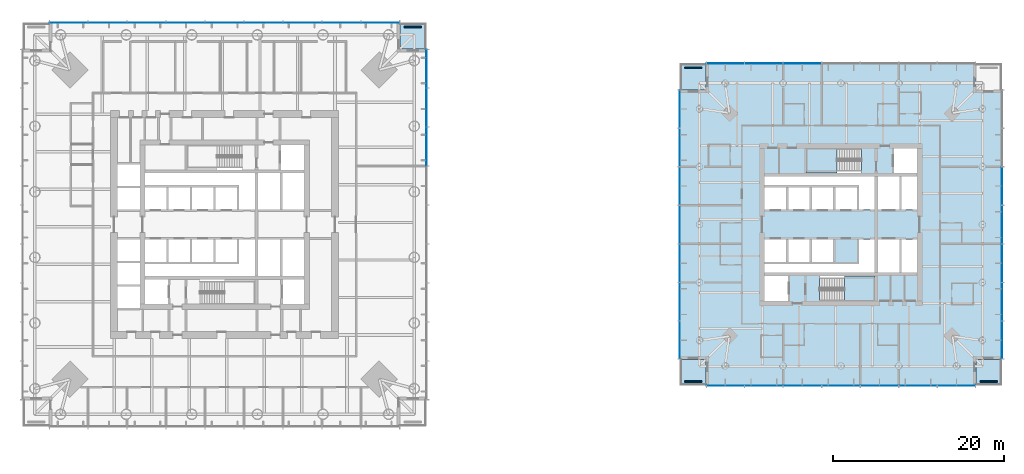
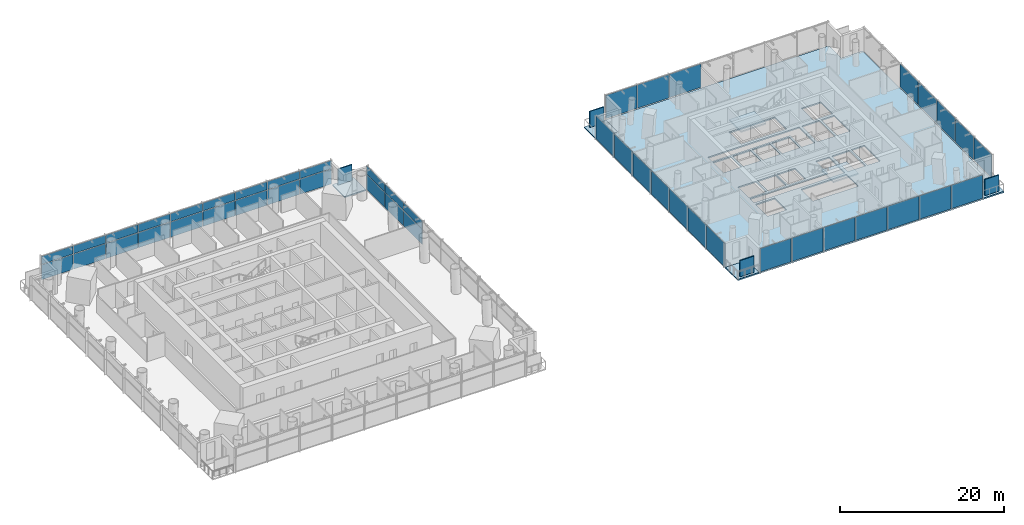
# One storey, part 10 of 24: 50 plates, 7 slabs, 10 elements without a shape of their own.
"""IFC4 building model written with IfcOpenShell, lengths in metres."""

from ifc_helpers import new_model, si_unit, direction, frame, origin, origin_2d, place, context, subcontext, project, spatial, polyline, rectangle, outline, extrude, material, layer, layer_set, type_object, element, aggregate, save


model = new_model("IFC4")

# Units and contexts
model_context = context("Model", 3, precision=1e-05, world=origin(), true_north=direction((0.0, 1.0)))
body_context = subcontext(model_context, "Body", "Model", "MODEL_VIEW")
ifc_project = project(units=[si_unit("LENGTHUNIT", "METRE"), si_unit("AREAUNIT", "SQUARE_METRE"), si_unit("VOLUMEUNIT", "CUBIC_METRE"), si_unit("PLANEANGLEUNIT", "RADIAN"), si_unit("MASSUNIT", "GRAM", prefix="KILO")], contexts=[model_context])

# Site, building, storey
site_placement = place(None, origin())
site = spatial("IfcSite", under=ifc_project, at=site_placement, CompositionType="ELEMENT")
building_placement = place(site_placement, origin())
building = spatial("IfcBuilding", under=site, at=building_placement, Name="Ostroluk Exchange", CompositionType="ELEMENT")
storey_placement = place(building_placement, frame((0.0, 0.0, 78.0)))
storey = spatial("IfcBuildingStorey", under=building, at=storey_placement, Name="L19", CompositionType="ELEMENT", Elevation=78.0)

# Curtain wall, plates
ifc_material_1 = material(Name="Laminated clear glass", Category="glass")
curtain_wall_type_1 = type_object("IfcCurtainWallType", Name="Hotel guest floor facade", PredefinedType="USERDEFINED", material=ifc_material_1)
curtain_wall_1_placement = place(storey_placement, origin())
curtain_wall_1 = element("IfcCurtainWall", 1, at=curtain_wall_1_placement, inside=storey, type_object=curtain_wall_type_1, Name="Hotel tower south facade L19", ObjectType="UNITISED CURTAIN WALL", PredefinedType="USERDEFINED")
ifc_material_2 = material(Name="Laminated clear glass", Category="glass")
ifc_layer_1 = layer(ifc_material_2, 0.0400390625)
ifc_layer_set_1 = layer_set([ifc_layer_1], Name="Acoustic laminated glazing 40")
plate_type_1 = type_object("IfcPlateType", Name="Acoustic laminated glazing 40", PredefinedType="CURTAIN_PANEL", material=ifc_layer_set_1)
plate_1_placement = place(storey_placement, frame((103.52001953125, 27.175048828125, 0.080078125), z_axis=(0.0, 0.0, 1.0), x_axis=(1.0, 0.0, 0.0)))
plate_1 = element("IfcPlate", 2, at=plate_1_placement, type_object=plate_type_1, Name="CW-H1 panel 1.1", PredefinedType="CURTAIN_PANEL", context=body_context, shape_type="SweptSolid", body=[
    extrude(rectangle(XDim=4.3798828125, YDim=0.0400390625, at=origin_2d()), origin(), (0.0, 0.0, 1.0), 3.489990234375),
])
plate_2_placement = place(storey_placement, frame((108.0, 27.175048828125, 0.080078125), z_axis=(0.0, 0.0, 1.0), x_axis=(1.0, 0.0, 0.0)))
plate_2 = element("IfcPlate", 3, at=plate_2_placement, type_object=plate_type_1, Name="CW-H1 panel 2.1", PredefinedType="CURTAIN_PANEL", context=body_context, shape_type="SweptSolid", body=[
    extrude(rectangle(XDim=4.419921875, YDim=0.0400390625, at=origin_2d()), origin(), (0.0, 0.0, 1.0), 3.489990234375),
])
plate_3_placement = place(storey_placement, frame((112.5, 27.175048828125, 0.080078125), z_axis=(0.0, 0.0, 1.0), x_axis=(1.0, 0.0, 0.0)))
plate_3 = element("IfcPlate", 4, at=plate_3_placement, type_object=plate_type_1, Name="CW-H1 panel 3.1", PredefinedType="CURTAIN_PANEL", context=body_context, shape_type="SweptSolid", body=[
    extrude(rectangle(XDim=4.419921875, YDim=0.0400390625, at=origin_2d()), origin(), (0.0, 0.0, 1.0), 3.489990234375),
])
plate_4_placement = place(storey_placement, frame((117.0, 27.175048828125, 0.080078125), z_axis=(0.0, 0.0, 1.0), x_axis=(1.0, 0.0, 0.0)))
plate_4 = element("IfcPlate", 5, at=plate_4_placement, type_object=plate_type_1, Name="CW-H1 panel 4.1", PredefinedType="CURTAIN_PANEL", context=body_context, shape_type="SweptSolid", body=[
    extrude(rectangle(XDim=4.419921875, YDim=0.0400390625, at=origin_2d()), origin(), (0.0, 0.0, 1.0), 3.489990234375),
])
plate_5_placement = place(storey_placement, frame((121.5, 27.175048828125, 0.080078125), z_axis=(0.0, 0.0, 1.0), x_axis=(1.0, 0.0, 0.0)))
plate_5 = element("IfcPlate", 6, at=plate_5_placement, type_object=plate_type_1, Name="CW-H1 panel 5.1", PredefinedType="CURTAIN_PANEL", context=body_context, shape_type="SweptSolid", body=[
    extrude(rectangle(XDim=4.419921875, YDim=0.0400390625, at=origin_2d()), origin(), (0.0, 0.0, 1.0), 3.489990234375),
])
plate_6_placement = place(storey_placement, frame((126.0, 27.175048828125, 0.080078125), z_axis=(0.0, 0.0, 1.0), x_axis=(1.0, 0.0, 0.0)))
plate_6 = element("IfcPlate", 7, at=plate_6_placement, type_object=plate_type_1, Name="CW-H1 panel 6.1", PredefinedType="CURTAIN_PANEL", context=body_context, shape_type="SweptSolid", body=[
    extrude(rectangle(XDim=4.419921875, YDim=0.0400390625, at=origin_2d()), origin(), (0.0, 0.0, 1.0), 3.489990234375),
])
plate_7_placement = place(storey_placement, frame((130.47998046875, 27.175048828125, 0.080078125), z_axis=(0.0, 0.0, 1.0), x_axis=(1.0, 0.0, 0.0)))
plate_7 = element("IfcPlate", 8, at=plate_7_placement, type_object=plate_type_1, Name="CW-H1 panel 7.1", PredefinedType="CURTAIN_PANEL", context=body_context, shape_type="SweptSolid", body=[
    extrude(rectangle(XDim=4.3798828125, YDim=0.0400390625, at=origin_2d()), origin(), (0.0, 0.0, 1.0), 3.489990234375),
])
aggregate(curtain_wall_1, [plate_1, plate_2, plate_3, plate_4, plate_5, plate_6, plate_7])

curtain_wall_2_placement = place(storey_placement, origin())
curtain_wall_2 = element("IfcCurtainWall", 9, at=curtain_wall_2_placement, inside=storey, type_object=curtain_wall_type_1, Name="Hotel tower east facade L19", ObjectType="UNITISED CURTAIN WALL", PredefinedType="USERDEFINED")
plate_8_placement = place(storey_placement, frame((135.824951171875, 32.52001953125, 0.080078125), z_axis=(0.0, 0.0, 1.0), x_axis=(0.0, 1.0, 0.0)))
plate_8 = element("IfcPlate", 10, at=plate_8_placement, type_object=plate_type_1, Name="CW-H1 panel 1.1", PredefinedType="CURTAIN_PANEL", context=body_context, shape_type="SweptSolid", body=[
    extrude(rectangle(XDim=4.3798828125, YDim=0.0400390625, at=origin_2d()), origin(), (0.0, 0.0, 1.0), 3.489990234375),
])
plate_9_placement = place(storey_placement, frame((135.824951171875, 37.0, 0.080078125), z_axis=(0.0, 0.0, 1.0), x_axis=(0.0, 1.0, 0.0)))
plate_9 = element("IfcPlate", 11, at=plate_9_placement, type_object=plate_type_1, Name="CW-H1 panel 2.1", PredefinedType="CURTAIN_PANEL", context=body_context, shape_type="SweptSolid", body=[
    extrude(rectangle(XDim=4.419921875, YDim=0.0400390625, at=origin_2d()), origin(), (0.0, 0.0, 1.0), 3.489990234375),
])
plate_10_placement = place(storey_placement, frame((135.824951171875, 41.5, 0.080078125), z_axis=(0.0, 0.0, 1.0), x_axis=(0.0, 1.0, 0.0)))
plate_10 = element("IfcPlate", 12, at=plate_10_placement, type_object=plate_type_1, Name="CW-H1 panel 3.1", PredefinedType="CURTAIN_PANEL", context=body_context, shape_type="SweptSolid", body=[
    extrude(rectangle(XDim=4.419921875, YDim=0.0400390625, at=origin_2d()), origin(), (0.0, 0.0, 1.0), 3.489990234375),
])
plate_11_placement = place(storey_placement, frame((135.824951171875, 46.0, 0.080078125), z_axis=(0.0, 0.0, 1.0), x_axis=(0.0, 1.0, 0.0)))
plate_11 = element("IfcPlate", 13, at=plate_11_placement, type_object=plate_type_1, Name="CW-H1 panel 4.1", PredefinedType="CURTAIN_PANEL", context=body_context, shape_type="SweptSolid", body=[
    extrude(rectangle(XDim=4.419921875, YDim=0.0400390625, at=origin_2d()), origin(), (0.0, 0.0, 1.0), 3.489990234375),
])
plate_12_placement = place(storey_placement, frame((135.824951171875, 50.5, 0.080078125), z_axis=(0.0, 0.0, 1.0), x_axis=(0.0, 1.0, 0.0)))
plate_12 = element("IfcPlate", 14, at=plate_12_placement, type_object=plate_type_1, Name="CW-H1 panel 5.1", PredefinedType="CURTAIN_PANEL", context=body_context, shape_type="SweptSolid", body=[
    extrude(rectangle(XDim=4.419921875, YDim=0.0400390625, at=origin_2d()), origin(), (0.0, 0.0, 1.0), 3.489990234375),
])
aggregate(curtain_wall_2, [plate_8, plate_9, plate_10, plate_11, plate_12])

curtain_wall_3_placement = place(storey_placement, origin())
curtain_wall_3 = element("IfcCurtainWall", 15, at=curtain_wall_3_placement, inside=storey, type_object=curtain_wall_type_1, Name="Hotel tower north facade L19", ObjectType="UNITISED CURTAIN WALL", PredefinedType="USERDEFINED")
plate_13_placement = place(storey_placement, frame((112.5, 64.824951171875, 0.080078125), z_axis=(0.0, 0.0, 1.0), x_axis=(-1.0, 0.0, 0.0)))
plate_13 = element("IfcPlate", 16, at=plate_13_placement, type_object=plate_type_1, Name="CW-H1 panel 5.1", PredefinedType="CURTAIN_PANEL", context=body_context, shape_type="SweptSolid", body=[
    extrude(rectangle(XDim=4.419921875, YDim=0.0400390625, at=origin_2d()), origin(), (0.0, 0.0, 1.0), 3.489990234375),
])
plate_14_placement = place(storey_placement, frame((108.0, 64.824951171875, 0.080078125), z_axis=(0.0, 0.0, 1.0), x_axis=(-1.0, 0.0, 0.0)))
plate_14 = element("IfcPlate", 17, at=plate_14_placement, type_object=plate_type_1, Name="CW-H1 panel 6.1", PredefinedType="CURTAIN_PANEL", context=body_context, shape_type="SweptSolid", body=[
    extrude(rectangle(XDim=4.419921875, YDim=0.0400390625, at=origin_2d()), origin(), (0.0, 0.0, 1.0), 3.489990234375),
])
plate_15_placement = place(storey_placement, frame((103.52001953125, 64.824951171875, 0.080078125), z_axis=(0.0, 0.0, 1.0), x_axis=(-1.0, 0.0, 0.0)))
plate_15 = element("IfcPlate", 18, at=plate_15_placement, type_object=plate_type_1, Name="CW-H1 panel 7.1", PredefinedType="CURTAIN_PANEL", context=body_context, shape_type="SweptSolid", body=[
    extrude(rectangle(XDim=4.3798828125, YDim=0.0400390625, at=origin_2d()), origin(), (0.0, 0.0, 1.0), 3.489990234375),
])
aggregate(curtain_wall_3, [plate_13, plate_14, plate_15])

curtain_wall_4_placement = place(storey_placement, origin())
curtain_wall_4 = element("IfcCurtainWall", 19, at=curtain_wall_4_placement, inside=storey, type_object=curtain_wall_type_1, Name="Hotel tower west facade L19", ObjectType="UNITISED CURTAIN WALL", PredefinedType="USERDEFINED")
plate_16_placement = place(storey_placement, frame((98.175048828125, 59.47998046875, 0.080078125), z_axis=(0.0, 0.0, 1.0), x_axis=(0.0, -1.0, 0.0)))
plate_16 = element("IfcPlate", 20, at=plate_16_placement, type_object=plate_type_1, Name="CW-H1 panel 1.1", PredefinedType="CURTAIN_PANEL", context=body_context, shape_type="SweptSolid", body=[
    extrude(rectangle(XDim=4.3798828125, YDim=0.0400390625, at=origin_2d()), origin(), (0.0, 0.0, 1.0), 3.489990234375),
])
plate_17_placement = place(storey_placement, frame((98.175048828125, 55.0, 0.080078125), z_axis=(0.0, 0.0, 1.0), x_axis=(0.0, -1.0, 0.0)))
plate_17 = element("IfcPlate", 21, at=plate_17_placement, type_object=plate_type_1, Name="CW-H1 panel 2.1", PredefinedType="CURTAIN_PANEL", context=body_context, shape_type="SweptSolid", body=[
    extrude(rectangle(XDim=4.419921875, YDim=0.0400390625, at=origin_2d()), origin(), (0.0, 0.0, 1.0), 3.489990234375),
])
plate_18_placement = place(storey_placement, frame((98.175048828125, 50.5, 0.080078125), z_axis=(0.0, 0.0, 1.0), x_axis=(0.0, -1.0, 0.0)))
plate_18 = element("IfcPlate", 22, at=plate_18_placement, type_object=plate_type_1, Name="CW-H1 panel 3.1", PredefinedType="CURTAIN_PANEL", context=body_context, shape_type="SweptSolid", body=[
    extrude(rectangle(XDim=4.419921875, YDim=0.0400390625, at=origin_2d()), origin(), (0.0, 0.0, 1.0), 3.489990234375),
])
plate_19_placement = place(storey_placement, frame((98.175048828125, 46.0, 0.080078125), z_axis=(0.0, 0.0, 1.0), x_axis=(0.0, -1.0, 0.0)))
plate_19 = element("IfcPlate", 23, at=plate_19_placement, type_object=plate_type_1, Name="CW-H1 panel 4.1", PredefinedType="CURTAIN_PANEL", context=body_context, shape_type="SweptSolid", body=[
    extrude(rectangle(XDim=4.419921875, YDim=0.0400390625, at=origin_2d()), origin(), (0.0, 0.0, 1.0), 3.489990234375),
])
plate_20_placement = place(storey_placement, frame((98.175048828125, 41.5, 0.080078125), z_axis=(0.0, 0.0, 1.0), x_axis=(0.0, -1.0, 0.0)))
plate_20 = element("IfcPlate", 24, at=plate_20_placement, type_object=plate_type_1, Name="CW-H1 panel 5.1", PredefinedType="CURTAIN_PANEL", context=body_context, shape_type="SweptSolid", body=[
    extrude(rectangle(XDim=4.419921875, YDim=0.0400390625, at=origin_2d()), origin(), (0.0, 0.0, 1.0), 3.489990234375),
])
plate_21_placement = place(storey_placement, frame((98.175048828125, 37.0, 0.080078125), z_axis=(0.0, 0.0, 1.0), x_axis=(0.0, -1.0, 0.0)))
plate_21 = element("IfcPlate", 25, at=plate_21_placement, type_object=plate_type_1, Name="CW-H1 panel 6.1", PredefinedType="CURTAIN_PANEL", context=body_context, shape_type="SweptSolid", body=[
    extrude(rectangle(XDim=4.419921875, YDim=0.0400390625, at=origin_2d()), origin(), (0.0, 0.0, 1.0), 3.489990234375),
])
plate_22_placement = place(storey_placement, frame((98.175048828125, 32.52001953125, 0.080078125), z_axis=(0.0, 0.0, 1.0), x_axis=(0.0, -1.0, 0.0)))
plate_22 = element("IfcPlate", 26, at=plate_22_placement, type_object=plate_type_1, Name="CW-H1 panel 7.1", PredefinedType="CURTAIN_PANEL", context=body_context, shape_type="SweptSolid", body=[
    extrude(rectangle(XDim=4.3798828125, YDim=0.0400390625, at=origin_2d()), origin(), (0.0, 0.0, 1.0), 3.489990234375),
])
aggregate(curtain_wall_4, [plate_16, plate_17, plate_18, plate_19, plate_20, plate_21, plate_22])

# Slabs
ifc_material_3 = material(Name="Concrete C35/45", Category="concrete")
ifc_layer_2 = layer(ifc_material_3, 0.179931640625)
ifc_layer_set_2 = layer_set([ifc_layer_2], Name="Balcony slab 180")
slab_type_1 = type_object("IfcSlabType", Name="Balcony slab 180", PredefinedType="USERDEFINED", material=ifc_layer_set_2)
slab_1_placement = place(storey_placement, frame((0.0, 0.0, -0.179931640625)))
element("IfcSlab", 27, at=slab_1_placement, inside=storey, type_object=slab_type_1, Name="Office tower NE corner balcony L19", ObjectType="BALCONY", PredefinedType="USERDEFINED", context=body_context, shape_type="SweptSolid", body=[
    extrude(outline(polyline([(65.5, 66.5), (68.5, 66.5), (68.5, 69.5), (65.5, 69.5), (65.5, 66.5)])), origin(), (0.0, 0.0, 1.0), 0.179931640625),
])
ifc_material_4 = material(Name="Concrete C35/45", Category="concrete")
ifc_layer_3 = layer(ifc_material_4, 0.199951171875)
ifc_layer_set_3 = layer_set([ifc_layer_3], Name="Balcony slab 200")
slab_type_2 = type_object("IfcSlabType", Name="Balcony slab 200", PredefinedType="USERDEFINED", material=ifc_layer_set_3)
slab_2_placement = place(storey_placement, frame((0.0, 0.0, -0.199951171875)))
element("IfcSlab", 28, at=slab_2_placement, inside=storey, type_object=slab_type_2, Name="Hotel tower SE corner balcony L19", ObjectType="BALCONY", PredefinedType="USERDEFINED", context=body_context, shape_type="SweptSolid", body=[
    extrude(outline(polyline([(132.75, 27.25), (135.75, 27.25), (135.75, 30.25), (132.75, 30.25), (132.75, 27.25)])), origin(), (0.0, 0.0, 1.0), 0.199951171875),
])
slab_3_placement = place(storey_placement, frame((0.0, 0.0, -0.199951171875)))
element("IfcSlab", 29, at=slab_3_placement, inside=storey, type_object=slab_type_2, Name="Hotel tower NW corner balcony L19", ObjectType="BALCONY", PredefinedType="USERDEFINED", context=body_context, shape_type="SweptSolid", body=[
    extrude(outline(polyline([(98.25, 61.75), (101.25, 61.75), (101.25, 64.75), (98.25, 64.75), (98.25, 61.75)])), origin(), (0.0, 0.0, 1.0), 0.199951171875),
])
slab_4_placement = place(storey_placement, frame((0.0, 0.0, -0.199951171875)))
element("IfcSlab", 30, at=slab_4_placement, inside=storey, type_object=slab_type_2, Name="Hotel tower SW corner balcony L19", ObjectType="BALCONY", PredefinedType="USERDEFINED", context=body_context, shape_type="SweptSolid", body=[
    extrude(outline(polyline([(98.25, 27.25), (101.25, 27.25), (101.25, 30.25), (98.25, 30.25), (98.25, 27.25)])), origin(), (0.0, 0.0, 1.0), 0.199951171875),
])

# Curtain wall, plates
ifc_material_5 = material(Name="Laminated clear glass", Category="glass")
curtain_wall_type_2 = type_object("IfcCurtainWallType", Name="Office tower facade", PredefinedType="USERDEFINED", material=ifc_material_5)
curtain_wall_5_placement = place(storey_placement, origin())
curtain_wall_5 = element("IfcCurtainWall", 31, at=curtain_wall_5_placement, inside=storey, type_object=curtain_wall_type_2, Name="Office tower east spandrel L19", ObjectType="UNITISED CURTAIN WALL", PredefinedType="USERDEFINED")
ifc_material_6 = material(Name="Insulated aluminium spandrel", Category="aluminium")
ifc_layer_4 = layer(ifc_material_6, 0.0439453125)
ifc_layer_set_4 = layer_set([ifc_layer_4], Name="Insulated spandrel panel 44")
plate_type_2 = type_object("IfcPlateType", Name="Insulated spandrel panel 44", PredefinedType="CURTAIN_PANEL", material=ifc_layer_set_4)
plate_23_placement = place(storey_placement, frame((68.574951171875, 55.111083984375, 2.3935546875), z_axis=(0.0, 0.0, 1.0), x_axis=(0.0, 1.0, 0.0)))
plate_23 = element("IfcPlate", 32, at=plate_23_placement, type_object=plate_type_2, Name="CW-O1 panel 7.1", PredefinedType="CURTAIN_PANEL", context=body_context, shape_type="SweptSolid", body=[
    extrude(rectangle(XDim=4.4755859375, YDim=0.0439453125, at=origin_2d()), origin(), (0.0, 0.0, 1.0), 1.176513671875),
])
plate_24_placement = place(storey_placement, frame((68.574951171875, 59.666748046875, 2.3935546875), z_axis=(0.0, 0.0, 1.0), x_axis=(0.0, 1.0, 0.0)))
plate_24 = element("IfcPlate", 33, at=plate_24_placement, type_object=plate_type_2, Name="CW-O1 panel 8.1", PredefinedType="CURTAIN_PANEL", context=body_context, shape_type="SweptSolid", body=[
    extrude(rectangle(XDim=4.4755859375, YDim=0.0439453125, at=origin_2d()), origin(), (0.0, 0.0, 1.0), 1.176513671875),
])
plate_25_placement = place(storey_placement, frame((68.574951171875, 64.2021484375, 2.3935546875), z_axis=(0.0, 0.0, 1.0), x_axis=(0.0, 1.0, 0.0)))
plate_25 = element("IfcPlate", 34, at=plate_25_placement, type_object=plate_type_2, Name="CW-O1 panel 9.1", PredefinedType="CURTAIN_PANEL", context=body_context, shape_type="SweptSolid", body=[
    extrude(rectangle(XDim=4.435546875, YDim=0.0439453125, at=origin_2d()), origin(), (0.0, 0.0, 1.0), 1.176513671875),
])
aggregate(curtain_wall_5, [plate_23, plate_24, plate_25])

curtain_wall_6_placement = place(storey_placement, origin())
curtain_wall_6 = element("IfcCurtainWall", 35, at=curtain_wall_6_placement, inside=storey, type_object=curtain_wall_type_2, Name="Office tower north spandrel L19", ObjectType="UNITISED CURTAIN WALL", PredefinedType="USERDEFINED")
plate_26_placement = place(storey_placement, frame((63.2021484375, 69.574951171875, 2.3935546875), z_axis=(0.0, 0.0, 1.0), x_axis=(-1.0, 0.0, 0.0)))
plate_26 = element("IfcPlate", 36, at=plate_26_placement, type_object=plate_type_2, Name="CW-O1 panel 1.1", PredefinedType="CURTAIN_PANEL", context=body_context, shape_type="SweptSolid", body=[
    extrude(rectangle(XDim=4.435546875, YDim=0.0439453125, at=origin_2d()), origin(), (0.0, 0.0, 1.0), 1.176513671875),
])
plate_27_placement = place(storey_placement, frame((58.666748046875, 69.574951171875, 2.3935546875), z_axis=(0.0, 0.0, 1.0), x_axis=(-1.0, 0.0, 0.0)))
plate_27 = element("IfcPlate", 37, at=plate_27_placement, type_object=plate_type_2, Name="CW-O1 panel 2.1", PredefinedType="CURTAIN_PANEL", context=body_context, shape_type="SweptSolid", body=[
    extrude(rectangle(XDim=4.4755859375, YDim=0.0439453125, at=origin_2d()), origin(), (0.0, 0.0, 1.0), 1.176513671875),
])
plate_28_placement = place(storey_placement, frame((54.111083984375, 69.574951171875, 2.3935546875), z_axis=(0.0, 0.0, 1.0), x_axis=(-1.0, 0.0, 0.0)))
plate_28 = element("IfcPlate", 38, at=plate_28_placement, type_object=plate_type_2, Name="CW-O1 panel 3.1", PredefinedType="CURTAIN_PANEL", context=body_context, shape_type="SweptSolid", body=[
    extrude(rectangle(XDim=4.4755859375, YDim=0.0439453125, at=origin_2d()), origin(), (0.0, 0.0, 1.0), 1.176513671875),
])
plate_29_placement = place(storey_placement, frame((49.5556640625, 69.574951171875, 2.3935546875), z_axis=(0.0, 0.0, 1.0), x_axis=(-1.0, 0.0, 0.0)))
plate_29 = element("IfcPlate", 39, at=plate_29_placement, type_object=plate_type_2, Name="CW-O1 panel 4.1", PredefinedType="CURTAIN_PANEL", context=body_context, shape_type="SweptSolid", body=[
    extrude(rectangle(XDim=4.4755859375, YDim=0.0439453125, at=origin_2d()), origin(), (0.0, 0.0, 1.0), 1.176513671875),
])
plate_30_placement = place(storey_placement, frame((45.0, 69.574951171875, 2.3935546875), z_axis=(0.0, 0.0, 1.0), x_axis=(-1.0, 0.0, 0.0)))
plate_30 = element("IfcPlate", 40, at=plate_30_placement, type_object=plate_type_2, Name="CW-O1 panel 5.1", PredefinedType="CURTAIN_PANEL", context=body_context, shape_type="SweptSolid", body=[
    extrude(rectangle(XDim=4.4755859375, YDim=0.0439453125, at=origin_2d()), origin(), (0.0, 0.0, 1.0), 1.176513671875),
])
plate_31_placement = place(storey_placement, frame((40.4443359375, 69.574951171875, 2.3935546875), z_axis=(0.0, 0.0, 1.0), x_axis=(-1.0, 0.0, 0.0)))
plate_31 = element("IfcPlate", 41, at=plate_31_placement, type_object=plate_type_2, Name="CW-O1 panel 6.1", PredefinedType="CURTAIN_PANEL", context=body_context, shape_type="SweptSolid", body=[
    extrude(rectangle(XDim=4.4755859375, YDim=0.0439453125, at=origin_2d()), origin(), (0.0, 0.0, 1.0), 1.176513671875),
])
plate_32_placement = place(storey_placement, frame((35.888916015625, 69.574951171875, 2.3935546875), z_axis=(0.0, 0.0, 1.0), x_axis=(-1.0, 0.0, 0.0)))
plate_32 = element("IfcPlate", 42, at=plate_32_placement, type_object=plate_type_2, Name="CW-O1 panel 7.1", PredefinedType="CURTAIN_PANEL", context=body_context, shape_type="SweptSolid", body=[
    extrude(rectangle(XDim=4.4755859375, YDim=0.0439453125, at=origin_2d()), origin(), (0.0, 0.0, 1.0), 1.176513671875),
])
plate_33_placement = place(storey_placement, frame((31.333251953125, 69.574951171875, 2.3935546875), z_axis=(0.0, 0.0, 1.0), x_axis=(-1.0, 0.0, 0.0)))
plate_33 = element("IfcPlate", 43, at=plate_33_placement, type_object=plate_type_2, Name="CW-O1 panel 8.1", PredefinedType="CURTAIN_PANEL", context=body_context, shape_type="SweptSolid", body=[
    extrude(rectangle(XDim=4.4755859375, YDim=0.0439453125, at=origin_2d()), origin(), (0.0, 0.0, 1.0), 1.176513671875),
])
plate_34_placement = place(storey_placement, frame((26.7978515625, 69.574951171875, 2.3935546875), z_axis=(0.0, 0.0, 1.0), x_axis=(-1.0, 0.0, 0.0)))
plate_34 = element("IfcPlate", 44, at=plate_34_placement, type_object=plate_type_2, Name="CW-O1 panel 9.1", PredefinedType="CURTAIN_PANEL", context=body_context, shape_type="SweptSolid", body=[
    extrude(rectangle(XDim=4.435546875, YDim=0.0439453125, at=origin_2d()), origin(), (0.0, 0.0, 1.0), 1.176513671875),
])
aggregate(curtain_wall_6, [plate_26, plate_27, plate_28, plate_29, plate_30, plate_31, plate_32, plate_33, plate_34])

# Plates
ifc_material_7 = material(Name="Steel S355 trellis with planting", Category="steel")
ifc_layer_5 = layer(ifc_material_7, 0.14990234375)
ifc_layer_set_5 = layer_set([ifc_layer_5], Name="Planted screen 150")
plate_type_3 = type_object("IfcPlateType", Name="Planted screen 150", PredefinedType="USERDEFINED", material=ifc_layer_set_5)
for number, where, z_axis, x_axis, name in (
    (45, (67.0, 69.074951171875, 0.0), (0.0, 0.0, 1.0), (1.0, 0.0, 0.0), "Office tower NE planted screen L19"),
    (46, (134.25, 27.675048828125, 0.0), (0.0, 0.0, 1.0), (1.0, 0.0, 0.0), "Hotel tower SE planted screen L19"),
    (47, (99.75, 64.324951171875, 0.0), (0.0, 0.0, 1.0), (1.0, 0.0, 0.0), "Hotel tower NW planted screen L19"),
    (48, (99.75, 27.675048828125, 0.0), (0.0, 0.0, 1.0), (1.0, 0.0, 0.0), "Hotel tower SW planted screen L19"),
):
    element("IfcPlate", number, at=place(storey_placement, frame(where, z_axis=z_axis, x_axis=x_axis)), inside=storey, type_object=plate_type_3, Name=name, ObjectType="PLANTED SCREEN", PredefinedType="USERDEFINED", context=body_context, shape_type="SweptSolid", body=[
        extrude(rectangle(XDim=2.0, YDim=0.14990234375, at=origin_2d()), origin(), (0.0, 0.0, 1.0), 2.39990234375),
    ])

# Stair, slab
ifc_material_8 = material(Name="Concrete C30/37", Category="concrete")
stair_type = type_object("IfcStairType", Name="Exit stair half turn 3800", PredefinedType="HALF_TURN_STAIR", material=ifc_material_8)
stair_1_placement = place(storey_placement, origin())
stair_1 = element("IfcStair", 49, at=stair_1_placement, inside=storey, type_object=stair_type, Name="Stair T2-S1 L19", PredefinedType="HALF_TURN_STAIR")
ifc_material_9 = material(Name="Concrete C30/37", Category="concrete")
ifc_layer_6 = layer(ifc_material_9, 0.199951171875)
ifc_layer_set_6 = layer_set([ifc_layer_6], Name="Stair landing 200")
slab_type_3 = type_object("IfcSlabType", Name="Stair landing 200", PredefinedType="LANDING", material=ifc_layer_set_6)
slab_5_placement = place(storey_placement, frame((0.0, 0.0, 1.699951171875)))
slab_5 = element("IfcSlab", 50, at=slab_5_placement, type_object=slab_type_3, Name="T2-S1 landing 1", PredefinedType="LANDING", context=body_context, shape_type="SweptSolid", body=[
    extrude(outline(polyline([(117.39990234375, 37.10009765625), (117.39990234375, 40.0), (120.929931640625, 40.0), (120.929931640625, 37.10009765625), (117.39990234375, 37.10009765625)])), origin(), (0.0, 0.0, 1.0), 0.199951171875),
])
aggregate(stair_1, [slab_5])

stair_2_placement = place(storey_placement, origin())
stair_2 = element("IfcStair", 51, at=stair_2_placement, inside=storey, type_object=stair_type, Name="Stair T2-S2 L19", PredefinedType="HALF_TURN_STAIR")
slab_6_placement = place(storey_placement, frame((0.0, 0.0, 1.699951171875)))
slab_6 = element("IfcSlab", 52, at=slab_6_placement, type_object=slab_type_3, Name="T2-S2 landing 1", PredefinedType="LANDING", context=body_context, shape_type="SweptSolid", body=[
    extrude(outline(polyline([(116.530029296875, 52.0), (116.530029296875, 54.89990234375), (113.0, 54.89990234375), (113.0, 52.0), (116.530029296875, 52.0)])), origin(), (0.0, 0.0, 1.0), 0.199951171875),
])
aggregate(stair_2, [slab_6])

# Slab
ifc_material_10 = material(Name="Concrete C35/45", Category="concrete")
ifc_layer_7 = layer(ifc_material_10, 0.199951171875)
ifc_layer_set_7 = layer_set([ifc_layer_7], Name="Tower floor slab 200 composite")
slab_type_4 = type_object("IfcSlabType", Name="Tower floor slab 200 composite", PredefinedType="FLOOR", material=ifc_layer_set_7)
slab_7_placement = place(storey_placement, frame((0.0, 0.0, -0.199951171875)))
element("IfcSlab", 53, at=slab_7_placement, inside=storey, type_object=slab_type_4, Name="Hotel tower floor slab L19", PredefinedType="FLOOR", context=body_context, shape_type="SweptSolid", body=[
    extrude(outline(polyline([(101.25, 27.25), (132.75, 27.25), (132.75, 30.25), (135.75, 30.25), (135.75, 61.75), (132.75, 61.75), (132.75, 64.75), (101.25, 64.75), (101.25, 61.75), (98.25, 61.75), (98.25, 30.25), (101.25, 30.25), (101.25, 27.25)]), holes=[polyline([(108.10009765625, 37.10009765625), (110.800048828125, 37.10009765625), (110.800048828125, 40.0), (108.10009765625, 40.0), (108.10009765625, 37.10009765625)]), polyline([(114.510009765625, 37.10009765625), (120.929931640625, 37.10009765625), (120.929931640625, 40.0), (114.510009765625, 40.0), (114.510009765625, 37.10009765625)]), polyline([(113.0, 52.0), (119.419921875, 52.0), (119.419921875, 54.89990234375), (113.0, 54.89990234375), (113.0, 52.0)]), polyline([(123.199951171875, 52.0), (125.89990234375, 52.0), (125.89990234375, 54.89990234375), (123.199951171875, 54.89990234375), (123.199951171875, 52.0)]), polyline([(108.10009765625, 47.75), (110.60009765625, 47.75), (110.60009765625, 50.35009765625), (108.10009765625, 50.35009765625), (108.10009765625, 47.75)]), polyline([(110.85009765625, 47.75), (113.35009765625, 47.75), (113.35009765625, 50.35009765625), (110.85009765625, 50.35009765625), (110.85009765625, 47.75)]), polyline([(113.60009765625, 47.75), (116.10009765625, 47.75), (116.10009765625, 50.35009765625), (113.60009765625, 50.35009765625), (113.60009765625, 47.75)]), polyline([(116.35009765625, 47.75), (118.85009765625, 47.75), (118.85009765625, 50.35009765625), (116.35009765625, 50.35009765625), (116.35009765625, 47.75)]), polyline([(108.10009765625, 41.64990234375), (110.60009765625, 41.64990234375), (110.60009765625, 44.25), (108.10009765625, 44.25), (108.10009765625, 41.64990234375)]), polyline([(110.85009765625, 41.64990234375), (113.35009765625, 41.64990234375), (113.35009765625, 44.25), (110.85009765625, 44.25), (110.85009765625, 41.64990234375)]), polyline([(113.60009765625, 41.64990234375), (116.10009765625, 41.64990234375), (116.10009765625, 44.25), (113.60009765625, 44.25), (113.60009765625, 41.64990234375)]), polyline([(121.330078125, 47.75), (123.830078125, 47.75), (123.830078125, 51.60009765625), (121.330078125, 51.60009765625), (121.330078125, 47.75)]), polyline([(121.330078125, 40.39990234375), (123.830078125, 40.39990234375), (123.830078125, 44.25), (121.330078125, 44.25), (121.330078125, 40.39990234375)]), polyline([(120.929931640625, 51.60009765625), (120.929931640625, 47.75), (119.10009765625, 47.75), (119.10009765625, 50.60009765625), (108.10009765625, 50.60009765625), (108.10009765625, 51.60009765625), (120.929931640625, 51.60009765625)]), polyline([(108.10009765625, 40.39990234375), (108.10009765625, 41.39990234375), (119.10009765625, 41.39990234375), (119.10009765625, 44.25), (120.929931640625, 44.25), (120.929931640625, 40.39990234375), (108.10009765625, 40.39990234375)]), polyline([(124.080078125, 47.75), (125.89990234375, 47.75), (125.89990234375, 51.60009765625), (124.080078125, 51.60009765625), (124.080078125, 47.75)]), polyline([(124.080078125, 40.39990234375), (125.89990234375, 40.39990234375), (125.89990234375, 44.25), (124.080078125, 44.25), (124.080078125, 40.39990234375)])]), origin(), (0.0, 0.0, 1.0), 0.199951171875),
])

# Curtain wall, plates
curtain_wall_7_placement = place(storey_placement, origin())
curtain_wall_7 = element("IfcCurtainWall", 54, at=curtain_wall_7_placement, inside=storey, type_object=curtain_wall_type_2, Name="Office tower east facade L19", ObjectType="UNITISED CURTAIN WALL", PredefinedType="USERDEFINED")
ifc_material_11 = material(Name="Laminated clear glass", Category="glass")
ifc_layer_8 = layer(ifc_material_11, 0.0439453125)
ifc_layer_set_8 = layer_set([ifc_layer_8], Name="Triple laminated clear glazing 44")
plate_type_4 = type_object("IfcPlateType", Name="Triple laminated clear glazing 44", PredefinedType="CURTAIN_PANEL", material=ifc_layer_set_8)
plate_35_placement = place(storey_placement, frame((68.574951171875, 55.111083984375, 0.080078125), z_axis=(0.0, 0.0, 1.0), x_axis=(0.0, 1.0, 0.0)))
plate_35 = element("IfcPlate", 55, at=plate_35_placement, type_object=plate_type_4, Name="CW-O1 panel 7.1", PredefinedType="CURTAIN_PANEL", context=body_context, shape_type="SweptSolid", body=[
    extrude(rectangle(XDim=4.4755859375, YDim=0.0439453125, at=origin_2d()), origin(), (0.0, 0.0, 1.0), 2.2333984375),
])
plate_36_placement = place(storey_placement, frame((68.574951171875, 59.666748046875, 0.080078125), z_axis=(0.0, 0.0, 1.0), x_axis=(0.0, 1.0, 0.0)))
plate_36 = element("IfcPlate", 56, at=plate_36_placement, type_object=plate_type_4, Name="CW-O1 panel 8.1", PredefinedType="CURTAIN_PANEL", context=body_context, shape_type="SweptSolid", body=[
    extrude(rectangle(XDim=4.4755859375, YDim=0.0439453125, at=origin_2d()), origin(), (0.0, 0.0, 1.0), 2.2333984375),
])
plate_37_placement = place(storey_placement, frame((68.574951171875, 64.2021484375, 0.080078125), z_axis=(0.0, 0.0, 1.0), x_axis=(0.0, 1.0, 0.0)))
plate_37 = element("IfcPlate", 57, at=plate_37_placement, type_object=plate_type_4, Name="CW-O1 panel 9.1", PredefinedType="CURTAIN_PANEL", context=body_context, shape_type="SweptSolid", body=[
    extrude(rectangle(XDim=4.435546875, YDim=0.0439453125, at=origin_2d()), origin(), (0.0, 0.0, 1.0), 2.2333984375),
])
aggregate(curtain_wall_7, [plate_35, plate_36, plate_37])

curtain_wall_8_placement = place(storey_placement, origin())
curtain_wall_8 = element("IfcCurtainWall", 58, at=curtain_wall_8_placement, inside=storey, type_object=curtain_wall_type_2, Name="Office tower north facade L19", ObjectType="UNITISED CURTAIN WALL", PredefinedType="USERDEFINED")
plate_38_placement = place(storey_placement, frame((63.2021484375, 69.574951171875, 0.080078125), z_axis=(0.0, 0.0, 1.0), x_axis=(-1.0, 0.0, 0.0)))
plate_38 = element("IfcPlate", 59, at=plate_38_placement, type_object=plate_type_4, Name="CW-O1 panel 1.1", PredefinedType="CURTAIN_PANEL", context=body_context, shape_type="SweptSolid", body=[
    extrude(rectangle(XDim=4.435546875, YDim=0.0439453125, at=origin_2d()), origin(), (0.0, 0.0, 1.0), 2.2333984375),
])
plate_39_placement = place(storey_placement, frame((58.666748046875, 69.574951171875, 0.080078125), z_axis=(0.0, 0.0, 1.0), x_axis=(-1.0, 0.0, 0.0)))
plate_39 = element("IfcPlate", 60, at=plate_39_placement, type_object=plate_type_4, Name="CW-O1 panel 2.1", PredefinedType="CURTAIN_PANEL", context=body_context, shape_type="SweptSolid", body=[
    extrude(rectangle(XDim=4.4755859375, YDim=0.0439453125, at=origin_2d()), origin(), (0.0, 0.0, 1.0), 2.2333984375),
])
plate_40_placement = place(storey_placement, frame((54.111083984375, 69.574951171875, 0.080078125), z_axis=(0.0, 0.0, 1.0), x_axis=(-1.0, 0.0, 0.0)))
plate_40 = element("IfcPlate", 61, at=plate_40_placement, type_object=plate_type_4, Name="CW-O1 panel 3.1", PredefinedType="CURTAIN_PANEL", context=body_context, shape_type="SweptSolid", body=[
    extrude(rectangle(XDim=4.4755859375, YDim=0.0439453125, at=origin_2d()), origin(), (0.0, 0.0, 1.0), 2.2333984375),
])
plate_41_placement = place(storey_placement, frame((49.5556640625, 69.574951171875, 0.080078125), z_axis=(0.0, 0.0, 1.0), x_axis=(-1.0, 0.0, 0.0)))
plate_41 = element("IfcPlate", 62, at=plate_41_placement, type_object=plate_type_4, Name="CW-O1 panel 4.1", PredefinedType="CURTAIN_PANEL", context=body_context, shape_type="SweptSolid", body=[
    extrude(rectangle(XDim=4.4755859375, YDim=0.0439453125, at=origin_2d()), origin(), (0.0, 0.0, 1.0), 2.2333984375),
])
plate_42_placement = place(storey_placement, frame((45.0, 69.574951171875, 0.080078125), z_axis=(0.0, 0.0, 1.0), x_axis=(-1.0, 0.0, 0.0)))
plate_42 = element("IfcPlate", 63, at=plate_42_placement, type_object=plate_type_4, Name="CW-O1 panel 5.1", PredefinedType="CURTAIN_PANEL", context=body_context, shape_type="SweptSolid", body=[
    extrude(rectangle(XDim=4.4755859375, YDim=0.0439453125, at=origin_2d()), origin(), (0.0, 0.0, 1.0), 2.2333984375),
])
plate_43_placement = place(storey_placement, frame((40.4443359375, 69.574951171875, 0.080078125), z_axis=(0.0, 0.0, 1.0), x_axis=(-1.0, 0.0, 0.0)))
plate_43 = element("IfcPlate", 64, at=plate_43_placement, type_object=plate_type_4, Name="CW-O1 panel 6.1", PredefinedType="CURTAIN_PANEL", context=body_context, shape_type="SweptSolid", body=[
    extrude(rectangle(XDim=4.4755859375, YDim=0.0439453125, at=origin_2d()), origin(), (0.0, 0.0, 1.0), 2.2333984375),
])
plate_44_placement = place(storey_placement, frame((35.888916015625, 69.574951171875, 0.080078125), z_axis=(0.0, 0.0, 1.0), x_axis=(-1.0, 0.0, 0.0)))
plate_44 = element("IfcPlate", 65, at=plate_44_placement, type_object=plate_type_4, Name="CW-O1 panel 7.1", PredefinedType="CURTAIN_PANEL", context=body_context, shape_type="SweptSolid", body=[
    extrude(rectangle(XDim=4.4755859375, YDim=0.0439453125, at=origin_2d()), origin(), (0.0, 0.0, 1.0), 2.2333984375),
])
plate_45_placement = place(storey_placement, frame((31.333251953125, 69.574951171875, 0.080078125), z_axis=(0.0, 0.0, 1.0), x_axis=(-1.0, 0.0, 0.0)))
plate_45 = element("IfcPlate", 66, at=plate_45_placement, type_object=plate_type_4, Name="CW-O1 panel 8.1", PredefinedType="CURTAIN_PANEL", context=body_context, shape_type="SweptSolid", body=[
    extrude(rectangle(XDim=4.4755859375, YDim=0.0439453125, at=origin_2d()), origin(), (0.0, 0.0, 1.0), 2.2333984375),
])
plate_46_placement = place(storey_placement, frame((26.7978515625, 69.574951171875, 0.080078125), z_axis=(0.0, 0.0, 1.0), x_axis=(-1.0, 0.0, 0.0)))
plate_46 = element("IfcPlate", 67, at=plate_46_placement, type_object=plate_type_4, Name="CW-O1 panel 9.1", PredefinedType="CURTAIN_PANEL", context=body_context, shape_type="SweptSolid", body=[
    extrude(rectangle(XDim=4.435546875, YDim=0.0439453125, at=origin_2d()), origin(), (0.0, 0.0, 1.0), 2.2333984375),
])
aggregate(curtain_wall_8, [plate_38, plate_39, plate_40, plate_41, plate_42, plate_43, plate_44, plate_45, plate_46])

save(model, "model.ifc")
